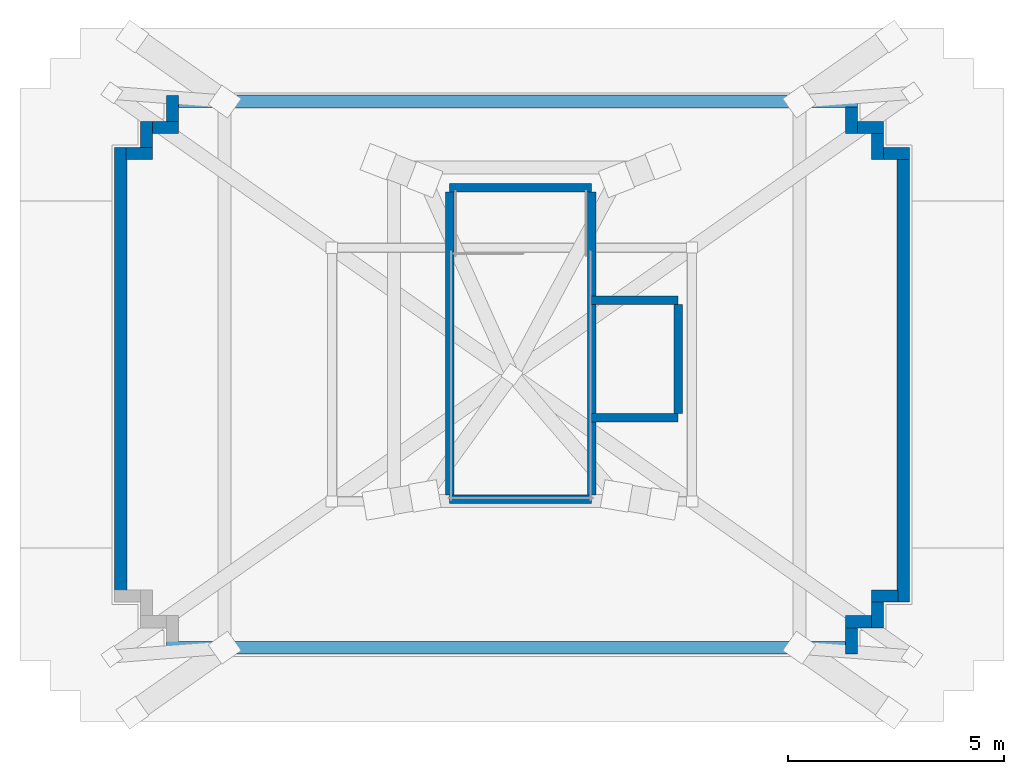
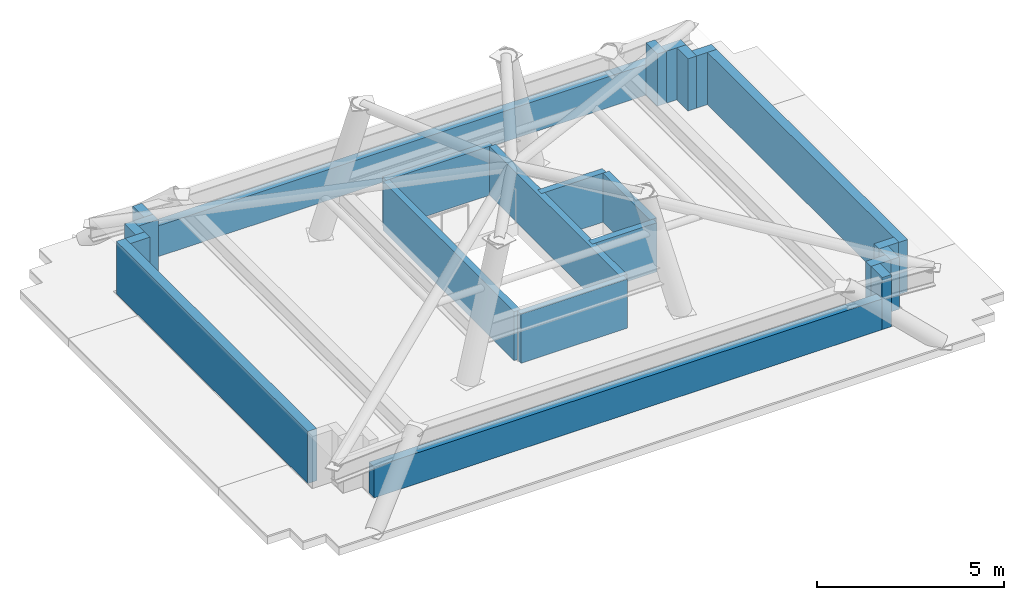
# One storey, part 2 of 3: 23 walls.
"""IFC4 building model written with IfcOpenShell, lengths in metres."""

from ifc_helpers import new_model, si_unit, direction, frame, frame_2d, origin, place, context, subcontext, project, spatial, rectangle, extrude, material, layer, layer_set, type_object, element, save


model = new_model("IFC4")

# Units and contexts
model_context = context("Model", 3, precision=1e-05, world=origin(), true_north=direction((0.0, 1.0)))
body_context = subcontext(model_context, "Body", "Model", "MODEL_VIEW")
ifc_project = project(units=[si_unit("LENGTHUNIT", "METRE"), si_unit("AREAUNIT", "SQUARE_METRE"), si_unit("VOLUMEUNIT", "CUBIC_METRE"), si_unit("PLANEANGLEUNIT", "RADIAN"), si_unit("MASSUNIT", "GRAM", prefix="KILO")], contexts=[model_context])

# Site, building, storey
site_placement = place(None, origin())
site = spatial("IfcSite", under=ifc_project, at=site_placement, CompositionType="ELEMENT")
building_placement = place(site_placement, origin())
building = spatial("IfcBuilding", under=site, at=building_placement, Name="Qobustan Lattice House", CompositionType="ELEMENT")
storey_placement = place(building_placement, frame((0.0, 0.0, 293.0)))
storey = spatial("IfcBuildingStorey", under=building, at=storey_placement, Name="L82", CompositionType="ELEMENT", Elevation=293.0)

# Walls
ifc_material_1 = material(Name="Precast concrete C40/50", Category="concrete")
ifc_layer_1 = layer(ifc_material_1, 0.280029296875)
ifc_layer_set_1 = layer_set([ifc_layer_1], Name="Precast concrete C40/50")
wall_type_1 = type_object("IfcWallType", Name="WAL-EXT-CROWN-280", PredefinedType="SOLIDWALL", material=ifc_layer_set_1)
wall_1_placement = place(storey_placement, frame((-9.239990234375, -6.58203125, 0.0), z_axis=(0.0, 0.0, 1.0), x_axis=(0.0, 1.0, 0.0)))
element("IfcWall", 1, at=wall_1_placement, inside=storey, type_object=wall_type_1, Name="L82 crown faceted limestone wall 5", PredefinedType="SOLIDWALL", context=body_context, shape_type="SweptSolid", body=[
    extrude(rectangle(XDim=10.23193359375, YDim=0.280029296875, at=frame_2d((5.115966796875, 0.0))), origin(), (0.0, 0.0, 1.0), 1.699951171875),
])
for number, where, z_axis, x_axis, name in (
    (2, (-9.112060546875, 3.510009765625, 0.0), (0.0, 0.0, 1.0), (1.0, 0.0, 0.0), "L82 crown faceted limestone wall 6"),
    (3, (-8.639892578125, 3.637939453125, 0.0), (0.0, 0.0, 1.0), (0.0, 1.0, 0.0), "L82 crown faceted limestone wall 7"),
    (4, (-8.511962890625, 4.110107421875, 0.0), (0.0, 0.0, 1.0), (1.0, 0.0, 0.0), "L82 crown faceted limestone wall 8"),
    (5, (-8.0400390625, 4.238037109375, 0.0), (0.0, 0.0, 1.0), (0.0, 1.0, 0.0), "L82 crown faceted limestone wall 9"),
):
    element("IfcWall", number, at=place(storey_placement, frame(where, z_axis=z_axis, x_axis=x_axis)), inside=storey, type_object=wall_type_1, Name=name, PredefinedType="SOLIDWALL", context=body_context, shape_type="SweptSolid", body=[
        extrude(rectangle(XDim=0.612060546875, YDim=0.280029296875, at=frame_2d((0.30615234375, 0.0))), origin(), (0.0, 0.0, 1.0), 1.699951171875),
    ])
wall_2_placement = place(storey_placement, frame((-7.912109375, 4.7099609375, 0.0), z_axis=(0.0, 0.0, 1.0), x_axis=(1.0, 0.0, 0.0)))
element("IfcWall", 6, at=wall_2_placement, inside=storey, type_object=wall_type_1, Name="L82 crown faceted limestone wall 10", PredefinedType="SOLIDWALL", context=body_context, shape_type="SweptSolid", body=[
    extrude(rectangle(XDim=15.692138671875, YDim=0.280029296875, at=frame_2d((7.84619140625, 0.0))), origin(), (0.0, 0.0, 1.0), 1.0048828125),
])
wall_3_placement = place(storey_placement, frame((7.639892578125, 4.58203125, 0.0), z_axis=(0.0, 0.0, 1.0), x_axis=(0.0, -1.0, 0.0)))
element("IfcWall", 7, at=wall_3_placement, inside=storey, type_object=wall_type_1, Name="L82 crown faceted limestone wall 11", PredefinedType="SOLIDWALL", context=body_context, shape_type="SweptSolid", body=[
    extrude(rectangle(XDim=0.612060546875, YDim=0.280029296875, at=frame_2d((0.30615234375, 0.0))), origin(), (0.0, 0.0, 1.0), 1.699951171875),
])
for number, where, z_axis, x_axis, name in (
    (8, (7.76806640625, 4.110107421875, 0.0), (0.0, 0.0, 1.0), (1.0, 0.0, 0.0), "L82 crown faceted limestone wall 12"),
    (9, (8.239990234375, 3.98193359375, 0.0), (0.0, 0.0, 1.0), (0.0, -1.0, 0.0), "L82 crown faceted limestone wall 13"),
):
    element("IfcWall", number, at=place(storey_placement, frame(where, z_axis=z_axis, x_axis=x_axis)), inside=storey, type_object=wall_type_1, Name=name, PredefinedType="SOLIDWALL", context=body_context, shape_type="SweptSolid", body=[
        extrude(rectangle(XDim=0.61181640625, YDim=0.280029296875, at=frame_2d((0.305908203125, 0.0))), origin(), (0.0, 0.0, 1.0), 1.699951171875),
    ])
wall_4_placement = place(storey_placement, frame((8.367919921875, 3.510009765625, 0.0), z_axis=(0.0, 0.0, 1.0), x_axis=(1.0, 0.0, 0.0)))
element("IfcWall", 10, at=wall_4_placement, inside=storey, type_object=wall_type_1, Name="L82 crown faceted limestone wall 14", PredefinedType="SOLIDWALL", context=body_context, shape_type="SweptSolid", body=[
    extrude(rectangle(XDim=0.612060546875, YDim=0.280029296875, at=frame_2d((0.30615234375, 0.0))), origin(), (0.0, 0.0, 1.0), 1.699951171875),
])
wall_5_placement = place(storey_placement, frame((8.840087890625, 3.382080078125, 0.0), z_axis=(0.0, 0.0, 1.0), x_axis=(0.0, -1.0, 0.0)))
element("IfcWall", 11, at=wall_5_placement, inside=storey, type_object=wall_type_1, Name="L82 crown faceted limestone wall 15", PredefinedType="SOLIDWALL", context=body_context, shape_type="SweptSolid", body=[
    extrude(rectangle(XDim=10.232177734375, YDim=0.280029296875, at=frame_2d((5.1162109375, 0.0))), origin(), (0.0, 0.0, 1.0), 1.699951171875),
])
wall_6_placement = place(storey_placement, frame((8.7119140625, -6.7099609375, 0.0), z_axis=(0.0, 0.0, 1.0), x_axis=(-1.0, 0.0, 0.0)))
element("IfcWall", 12, at=wall_6_placement, inside=storey, type_object=wall_type_1, Name="L82 crown faceted limestone wall 16", PredefinedType="SOLIDWALL", context=body_context, shape_type="SweptSolid", body=[
    extrude(rectangle(XDim=0.61181640625, YDim=0.280029296875, at=frame_2d((0.305908203125, 0.0))), origin(), (0.0, 0.0, 1.0), 1.699951171875),
])
for number, where, z_axis, x_axis, name in (
    (13, (8.239990234375, -6.837890625, 0.0), (0.0, 0.0, 1.0), (0.0, -1.0, 0.0), "L82 crown faceted limestone wall 17"),
    (14, (8.112060546875, -7.31005859375, 0.0), (0.0, 0.0, 1.0), (-1.0, 0.0, 0.0), "L82 crown faceted limestone wall 18"),
    (15, (7.639892578125, -7.43798828125, 0.0), (0.0, 0.0, 1.0), (0.0, -1.0, 0.0), "L82 crown faceted limestone wall 19"),
):
    element("IfcWall", number, at=place(storey_placement, frame(where, z_axis=z_axis, x_axis=x_axis)), inside=storey, type_object=wall_type_1, Name=name, PredefinedType="SOLIDWALL", context=body_context, shape_type="SweptSolid", body=[
        extrude(rectangle(XDim=0.612060546875, YDim=0.280029296875, at=frame_2d((0.30615234375, 0.0))), origin(), (0.0, 0.0, 1.0), 1.699951171875),
    ])
wall_7_placement = place(storey_placement, frame((7.511962890625, -7.909912109375, 0.0), z_axis=(0.0, 0.0, 1.0), x_axis=(-1.0, 0.0, 0.0)))
element("IfcWall", 16, at=wall_7_placement, inside=storey, type_object=wall_type_1, Name="L82 crown faceted limestone wall 20", PredefinedType="SOLIDWALL", context=body_context, shape_type="SweptSolid", body=[
    extrude(rectangle(XDim=15.69189453125, YDim=0.280029296875, at=frame_2d((7.845947265625, 0.0))), origin(), (0.0, 0.0, 1.0), 1.0048828125),
])
ifc_material_2 = material(Name="Concrete C40/50", Category="concrete")
ifc_layer_2 = layer(ifc_material_2, 0.199951171875)
ifc_layer_set_2 = layer_set([ifc_layer_2], Name="Concrete C40/50")
wall_type_2 = type_object("IfcWallType", Name="WAL-SHAFT-LB-200", PredefinedType="SHEAR", material=ifc_layer_set_2)
for number, where, z_axis, x_axis, name in (
    (17, (-1.639892578125, 2.719970703125, 0.0), (0.0, 0.0, 1.0), (1.0, 0.0, 0.0), "L82 crown stair ST-C1 RC shaft wall STC-N"),
    (18, (-1.639892578125, -4.47998046875, 0.0), (0.0, 0.0, 1.0), (1.0, 0.0, 0.0), "L82 crown stair ST-C1 RC shaft wall STC-S"),
):
    element("IfcWall", number, at=place(storey_placement, frame(where, z_axis=z_axis, x_axis=x_axis)), inside=storey, type_object=wall_type_2, Name=name, PredefinedType="SHEAR", context=body_context, shape_type="SweptSolid", body=[
        extrude(rectangle(XDim=3.27978515625, YDim=0.199951171875, at=frame_2d((1.639892578125, 0.0))), origin(), (0.0, 0.0, 1.0), 1.60009765625),
    ])
for number, where, z_axis, x_axis, name in (
    (19, (-1.639892578125, -4.3798828125, 0.0), (0.0, 0.0, 1.0), (0.0, 1.0, 0.0), "L82 crown stair ST-C1 RC shaft wall STC-W"),
    (20, (1.639892578125, -4.3798828125, 0.0), (0.0, 0.0, 1.0), (0.0, 1.0, 0.0), "L82 crown stair ST-C1 RC shaft wall STC-E"),
):
    element("IfcWall", number, at=place(storey_placement, frame(where, z_axis=z_axis, x_axis=x_axis)), inside=storey, type_object=wall_type_2, Name=name, PredefinedType="SHEAR", context=body_context, shape_type="SweptSolid", body=[
        extrude(rectangle(XDim=7.0, YDim=0.199951171875, at=frame_2d((3.5, 0.0))), origin(), (0.0, 0.0, 1.0), 1.60009765625),
    ])
for number, where, z_axis, x_axis, name in (
    (21, (1.639892578125, 0.1201171875, 0.0), (0.0, 0.0, 1.0), (1.0, 0.0, 0.0), "L82 crown firefighting lift RC shaft wall FFC-N"),
    (22, (1.639892578125, -2.60009765625, 0.0), (0.0, 0.0, 1.0), (1.0, 0.0, 0.0), "L82 crown firefighting lift RC shaft wall FFC-S"),
):
    element("IfcWall", number, at=place(storey_placement, frame(where, z_axis=z_axis, x_axis=x_axis)), inside=storey, type_object=wall_type_2, Name=name, PredefinedType="SHEAR", context=body_context, shape_type="SweptSolid", body=[
        extrude(rectangle(XDim=2.0, YDim=0.199951171875, at=frame_2d((1.0, 0.0))), origin(), (0.0, 0.0, 1.0), 1.60009765625),
    ])
wall_8_placement = place(storey_placement, frame((3.639892578125, -2.5, 0.0), z_axis=(0.0, 0.0, 1.0), x_axis=(0.0, 1.0, 0.0)))
element("IfcWall", 23, at=wall_8_placement, inside=storey, type_object=wall_type_2, Name="L82 crown firefighting lift RC shaft wall FFC-E", PredefinedType="SHEAR", context=body_context, shape_type="SweptSolid", body=[
    extrude(rectangle(XDim=2.52001953125, YDim=0.199951171875, at=frame_2d((1.260009765625, 0.0))), origin(), (0.0, 0.0, 1.0), 1.60009765625),
])

save(model, "model.ifc")
